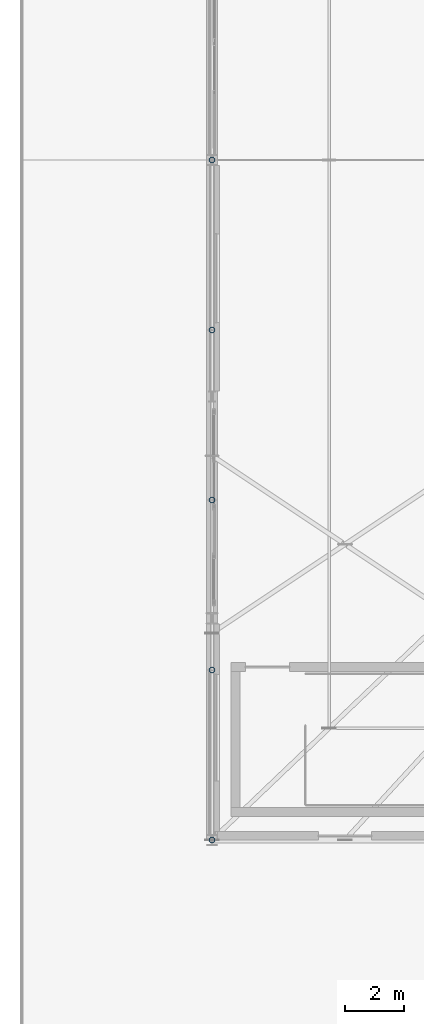
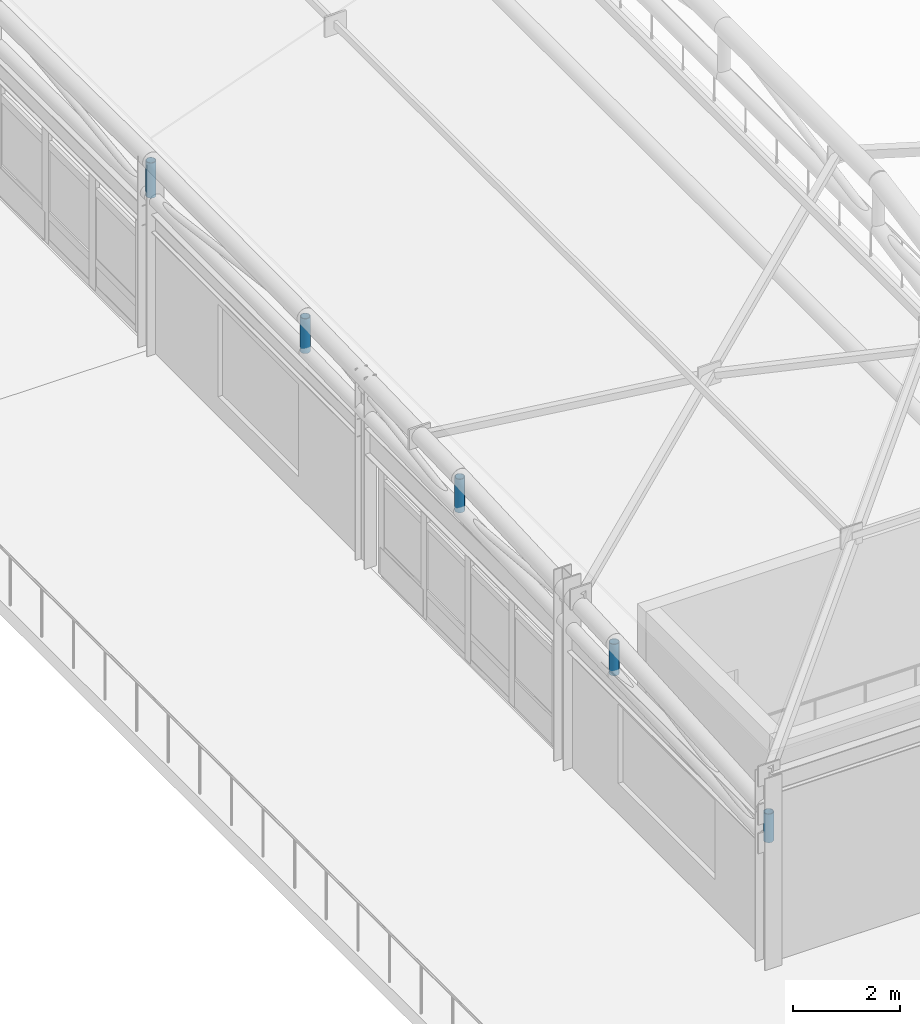
# One storey, part 125 of 168: 5 members.
"""IFC4 building model written with IfcOpenShell, lengths in metres."""

from ifc_helpers import new_model, si_unit, direction, frame, origin, origin_2d, place, context, subcontext, project, spatial, hollow_circle, extrude, material, material_profile, profile_set, type_object, element, save


model = new_model("IFC4")

# Units and contexts
model_context = context("Model", 3, precision=1e-05, world=origin(), true_north=direction((0.0, 1.0)))
body_context = subcontext(model_context, "Body", "Model", "MODEL_VIEW")
ifc_project = project(units=[si_unit("LENGTHUNIT", "METRE"), si_unit("AREAUNIT", "SQUARE_METRE"), si_unit("VOLUMEUNIT", "CUBIC_METRE"), si_unit("PLANEANGLEUNIT", "RADIAN"), si_unit("MASSUNIT", "GRAM", prefix="KILO"), si_unit("THERMODYNAMICTEMPERATUREUNIT", "KELVIN"), si_unit("POWERUNIT", "WATT")], contexts=[model_context])

# Site, building, storey
site_placement = place(None, origin())
site = spatial("IfcSite", under=ifc_project, at=site_placement, CompositionType="ELEMENT")
building_placement = place(site_placement, origin())
building = spatial("IfcBuilding", under=site, at=building_placement, Name="Tepalcoro Natatorium and Aquatics Centre", CompositionType="ELEMENT")
storey_placement = place(building_placement, frame((0.0, 0.0, 10.199951171875)))
storey = spatial("IfcBuildingStorey", under=building, at=storey_placement, Name="L02", CompositionType="ELEMENT", Elevation=10.199951171875)

# Members
ifc_material = material(Name="Terracotta Painted Hollow Steel ASTM A500 Grade C (Fy 345 MPa)", Category="masonry")
ifc_material_profile = material_profile(ifc_material, hollow_circle(Radius=0.096923828125, WallThickness=0.010009765625, at=origin_2d()), Name="CHS194X10")
ifc_profile_set = profile_set([ifc_material_profile], Name="Terracotta Painted Hollow Steel ASTM A500 Grade C (Fy 345 MPa)")
member_type = type_object("IfcMemberType", Name="MB_PS_CHS194x10", PredefinedType="POST", material=ifc_profile_set)
member_1_placement = place(storey_placement, frame((53.0, 13.0, 2.800048828125), z_axis=(0.0, 0.0, 1.0), x_axis=(1.0, 0.0, 0.0)))
element("IfcMember", 1, at=member_1_placement, inside=storey, type_object=member_type, Name="V1 Arched Truss Vertical Post 1", PredefinedType="POST", context=body_context, shape_type="SweptSolid", body=[
    extrude(hollow_circle(Radius=0.096923828125, WallThickness=0.010009765625, at=origin_2d()), origin(), (0.0, 0.0, 1.0), 0.64990234375),
])
member_2_placement = place(storey_placement, frame((53.0, 18.75, 3.106201171875), z_axis=(0.0, 0.0, 1.0), x_axis=(1.0, 0.0, 0.0)))
element("IfcMember", 2, at=member_2_placement, inside=storey, type_object=member_type, Name="V1 Arched Truss Vertical Post 1", PredefinedType="POST", context=body_context, shape_type="SweptSolid", body=[
    extrude(hollow_circle(Radius=0.096923828125, WallThickness=0.010009765625, at=origin_2d()), origin(), (0.0, 0.0, 1.0), 0.7158203125),
])
member_3_placement = place(storey_placement, frame((53.0, 24.5, 3.324951171875), z_axis=(0.0, 0.0, 1.0), x_axis=(1.0, 0.0, 0.0)))
element("IfcMember", 3, at=member_3_placement, inside=storey, type_object=member_type, Name="V1 Arched Truss Vertical Post 1", PredefinedType="POST", context=body_context, shape_type="SweptSolid", body=[
    extrude(hollow_circle(Radius=0.096923828125, WallThickness=0.010009765625, at=origin_2d()), origin(), (0.0, 0.0, 1.0), 0.7626953125),
])
member_4_placement = place(storey_placement, frame((53.0, 30.25, 3.456298828125), z_axis=(0.0, 0.0, 1.0), x_axis=(1.0, 0.0, 0.0)))
element("IfcMember", 4, at=member_4_placement, inside=storey, type_object=member_type, Name="V1 Arched Truss Vertical Post 1", PredefinedType="POST", context=body_context, shape_type="SweptSolid", body=[
    extrude(hollow_circle(Radius=0.096923828125, WallThickness=0.010009765625, at=origin_2d()), origin(), (0.0, 0.0, 1.0), 0.790771484375),
])
member_5_placement = place(storey_placement, frame((53.0, 36.0, 3.5), z_axis=(0.0, 0.0, 1.0), x_axis=(1.0, 0.0, 0.0)))
element("IfcMember", 5, at=member_5_placement, inside=storey, type_object=member_type, Name="V1 Arched Truss Vertical Post 1", PredefinedType="POST", context=body_context, shape_type="SweptSolid", body=[
    extrude(hollow_circle(Radius=0.096923828125, WallThickness=0.010009765625, at=origin_2d()), origin(), (0.0, 0.0, 1.0), 0.800048828125),
])

save(model, "model.ifc")
